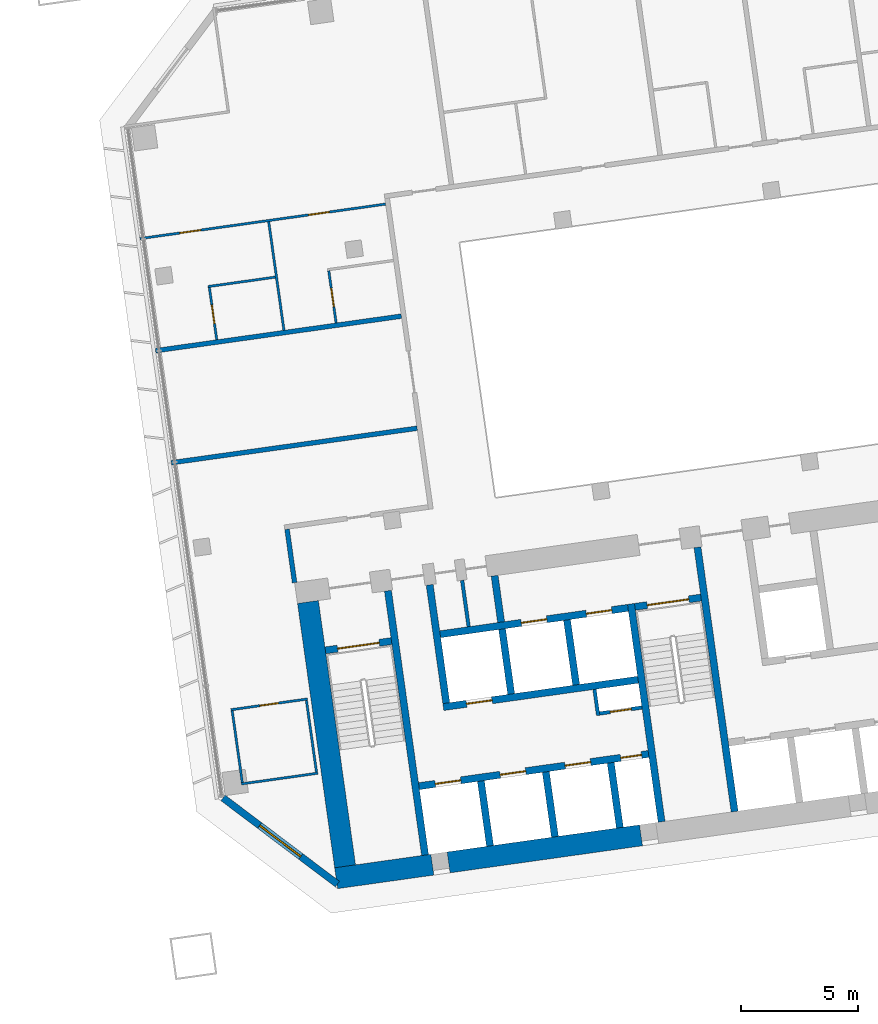
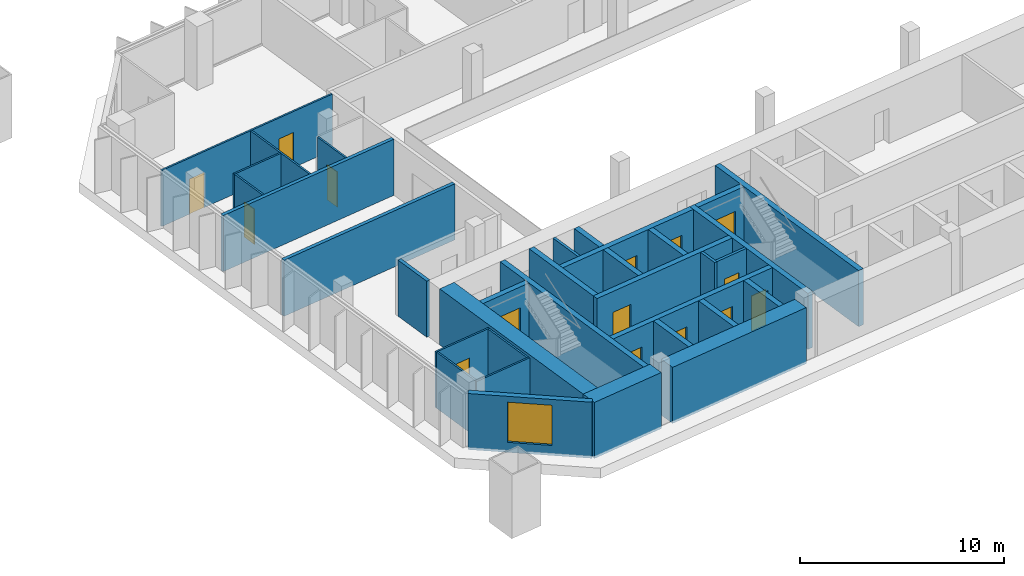
# One storey, part 18 of 24: 34 walls, 15 doors, 1 window, 16 openings.
"""IFC4 building model written with IfcOpenShell, lengths in metres."""

from ifc_helpers import new_model, si_unit, direction, frame, frame_2d, origin, place, context, subcontext, project, spatial, rectangle, extrude, material, layer, layer_set, type_object, element, fill, save


model = new_model("IFC4")

# Units and contexts
model_context = context("Model", 3, precision=1e-05, world=origin(), true_north=direction((0.0, 1.0)))
body_context = subcontext(model_context, "Body", "Model", "MODEL_VIEW")
ifc_project = project(units=[si_unit("LENGTHUNIT", "METRE"), si_unit("AREAUNIT", "SQUARE_METRE"), si_unit("VOLUMEUNIT", "CUBIC_METRE"), si_unit("PLANEANGLEUNIT", "RADIAN"), si_unit("MASSUNIT", "GRAM", prefix="KILO")], contexts=[model_context])

# Site, building, storey
site_placement = place(None, origin())
site = spatial("IfcSite", under=ifc_project, at=site_placement, CompositionType="ELEMENT")
building_placement = place(site_placement, origin())
building = spatial("IfcBuilding", under=site, at=building_placement, Name="Mirante Cascada Hotel Towers", CompositionType="ELEMENT")
storey_placement = place(building_placement, frame((0.0, 0.0, 85.1)))
storey = spatial("IfcBuildingStorey", under=building, at=storey_placement, Name="L18", CompositionType="ELEMENT", Elevation=85.1)

# Walls
ifc_material_1 = material(Name="Fire-rated plasterboard on metal studs")
ifc_layer_1 = layer(ifc_material_1, 0.2)
ifc_layer_set_1 = layer_set([ifc_layer_1], Name="Compartment wall 200 EI 120")
wall_type_1 = type_object("IfcWallType", Name="Compartment wall 200 EI 120", PredefinedType="PARTITIONING", material=ifc_layer_set_1)
wall_1_placement = place(storey_placement, frame((40.4968, -0.5248, 0.0), z_axis=(0.0, 0.0, 1.0), x_axis=(-0.9902684, -0.1391704, 0.0)))
element("IfcWall", 1, at=wall_1_placement, inside=storey, type_object=wall_type_1, Name="Wall 2-L18-04", PredefinedType="PARTITIONING", context=body_context, shape_type="SweptSolid", body=[
    extrude(rectangle(XDim=10.6, YDim=0.2, at=frame_2d((5.3, 0.0))), origin(), (0.0, 0.0, 1.0), 3.35),
])
wall_2_placement = place(storey_placement, frame((39.8242, 4.2615, 0.0), z_axis=(0.0, 0.0, 1.0), x_axis=(-0.9902686, -0.1391691, 0.0)))
element("IfcWall", 2, at=wall_2_placement, inside=storey, type_object=wall_type_1, Name="Wall 2-L18-08", PredefinedType="PARTITIONING", context=body_context, shape_type="SweptSolid", body=[
    extrude(rectangle(XDim=10.6001, YDim=0.2, at=frame_2d((5.3, 0.0))), origin(), (0.0, 0.0, 1.0), 3.35),
])
wall_3_placement = place(storey_placement, frame((35.2634, -7.1173, 0.0), z_axis=(0.0, 0.0, 1.0), x_axis=(-0.1391749, 0.9902678, 0.0)))
element("IfcWall", 3, at=wall_3_placement, inside=storey, type_object=wall_type_1, Name="Wall 2-L18-27", PredefinedType="PARTITIONING", context=body_context, shape_type="SweptSolid", body=[
    extrude(rectangle(XDim=2.3, YDim=0.2, at=frame_2d((1.15, 0.0))), origin(), (0.0, 0.0, 1.0), 3.35),
])
ifc_material_2 = material(Name="Masonry block", Category="masonry")
ifc_layer_2 = layer(ifc_material_2, 0.15)
ifc_layer_set_2 = layer_set([ifc_layer_2], Name="Core room partition 150 block EI 30")
wall_type_2 = type_object("IfcWallType", Name="Core room partition 150 block EI 30", PredefinedType="PARTITIONING", material=ifc_layer_set_2)
wall_4_placement = place(storey_placement, frame((48.2295, -12.793, 0.0), z_axis=(0.0, 0.0, 1.0), x_axis=(-0.1391935, 0.9902652, 0.0)))
element("IfcWall", 4, at=wall_4_placement, inside=storey, type_object=wall_type_2, Name="Core wall partition T2 L18 2", PredefinedType="PARTITIONING", context=body_context, shape_type="SweptSolid", body=[
    extrude(rectangle(XDim=1.1251, YDim=0.15, at=frame_2d((0.5626, 0.0))), origin(), (0.0, 0.0, 1.0), 3.35),
])

# Wall, opening, door
wall_5_placement = place(storey_placement, frame((48.2933, -12.7083, 0.0), z_axis=(0.0, 0.0, 1.0), x_axis=(0.990268, 0.1391734, 0.0)))
wall_5 = element("IfcWall", 5, at=wall_5_placement, inside=storey, type_object=wall_type_2, Name="Core wall partition T2 L18 3", PredefinedType="PARTITIONING", context=body_context, shape_type="SweptSolid", body=[
    extrude(rectangle(XDim=1.8251, YDim=0.15, at=frame_2d((0.9126, 0.0))), origin(), (0.0, 0.0, 1.0), 3.35),
])
opening_1_placement = place(wall_5_placement, frame((0.4625, 0.0, 0.0)))
opening_1 = element("IfcOpeningElement", 6, at=opening_1_placement, cuts=wall_5, Name="Opening D2-18-C23", PredefinedType="OPENING", context=body_context, shape_type="SweptSolid", body=[
    extrude(rectangle(XDim=0.9, YDim=2.1, at=frame_2d((0.45, 1.05))), frame((0.0, 0.075, 0.0), z_axis=(0.0, -1.0, 0.0), x_axis=(1.0, 0.0, 0.0)), (0.0, 0.0, 1.0), 0.15),
])
ifc_material_3 = material(Name="Hollow metal fire door leaf")
door_type_1 = type_object("IfcDoorType", Name="Fire door 900x2100 FD60", OperationType="NOTDEFINED", PredefinedType="DOOR", material=ifc_material_3)
door_1_placement = place(opening_1_placement, frame((0.9, 0.0, 0.0), z_axis=(0.0, 0.0, 1.0), x_axis=(-1.0, 0.0, 0.0)))
door_1 = element("IfcDoor", 7, at=door_1_placement, inside=storey, type_object=door_type_1, Name="Riser door T2 L18 23", OperationType="SINGLE_SWING_RIGHT", OverallHeight=2.1, OverallWidth=0.9, PredefinedType="DOOR", context=body_context, shape_type="SweptSolid", body=[
    extrude(rectangle(XDim=0.9, YDim=2.1, at=frame_2d((0.45, 1.05))), frame((0.0, 0.025, 0.0), z_axis=(0.0, -1.0, 0.0), x_axis=(1.0, 0.0, 0.0)), (0.0, 0.0, 1.0), 0.05),
])
fill(opening_1, door_1)

# Walls
wall_6_placement = place(storey_placement, frame((42.6979, -9.0009, 0.0), z_axis=(0.0, 0.0, 1.0), x_axis=(-0.1391529, 0.9902709, 0.0)))
element("IfcWall", 8, at=wall_6_placement, inside=storey, type_object=wall_type_2, Name="Core wall partition T2 L18 4", PredefinedType="PARTITIONING", context=body_context, shape_type="SweptSolid", body=[
    extrude(rectangle(XDim=2.0, YDim=0.15, at=frame_2d((1.0, 0.0))), origin(), (0.0, 0.0, 1.0), 3.35),
])
ifc_material_4 = material(Name="Masonry block", Category="masonry")
ifc_layer_3 = layer(ifc_material_4, 0.3)
ifc_layer_set_3 = layer_set([ifc_layer_3], Name="Core wall 300 block EI 120")
wall_type_3 = type_object("IfcWallType", Name="Core wall 300 block EI 120", PredefinedType="PARTITIONING", material=ifc_layer_set_3)
wall_7_placement = place(storey_placement, frame((44.0843, -8.8061, 0.0), z_axis=(0.0, 0.0, 1.0), x_axis=(-0.1391951, 0.990265, 0.0)))
element("IfcWall", 9, at=wall_7_placement, inside=storey, type_object=wall_type_3, Name="Core wall partition T2 L18 1", PredefinedType="PARTITIONING", context=body_context, shape_type="SweptSolid", body=[
    extrude(rectangle(XDim=2.0001, YDim=0.3, at=frame_2d((1.0001, 0.0))), origin(), (0.0, 0.0, 1.0), 3.35),
])
ifc_material_5 = material(Name="Plasterboard on metal studs")
ifc_layer_4 = layer(ifc_material_5, 0.1)
ifc_layer_set_4 = layer_set([ifc_layer_4], Name="Partition 100")
wall_type_4 = type_object("IfcWallType", Name="Partition 100", PredefinedType="PARTITIONING", material=ifc_layer_set_4)
wall_8_placement = place(storey_placement, frame((32.9882, -15.7176, 0.0), z_axis=(0.0, 0.0, 1.0), x_axis=(0.990267, 0.139181, 0.0)))
element("IfcWall", 10, at=wall_8_placement, inside=storey, type_object=wall_type_4, Name="Wall 2-L18-01", PredefinedType="PARTITIONING", context=body_context, shape_type="SweptSolid", body=[
    extrude(rectangle(XDim=3.3, YDim=0.1, at=frame_2d((1.65, 0.0))), origin(), (0.0, 0.0, 1.0), 3.35),
])

# Wall, opening, door
wall_9_placement = place(storey_placement, frame((35.8107, -12.0895, 0.0), z_axis=(0.0, 0.0, 1.0), x_axis=(-0.9902664, -0.1391852, 0.0)))
wall_9 = element("IfcWall", 11, at=wall_9_placement, inside=storey, type_object=wall_type_4, Name="Wall 2-L18-02", PredefinedType="PARTITIONING", context=body_context, shape_type="SweptSolid", body=[
    extrude(rectangle(XDim=3.2999, YDim=0.1, at=frame_2d((1.65, 0.0))), origin(), (0.0, 0.0, 1.0), 3.35),
])
opening_2_placement = place(wall_9_placement, frame((1.25, 0.0, 0.0)))
opening_2 = element("IfcOpeningElement", 12, at=opening_2_placement, cuts=wall_9, Name="Opening D2-L18-01", PredefinedType="OPENING", context=body_context, shape_type="SweptSolid", body=[
    extrude(rectangle(XDim=0.8, YDim=2.1, at=frame_2d((0.4, 1.05))), frame((0.0, 0.05, 0.0), z_axis=(0.0, -1.0, 0.0), x_axis=(1.0, 0.0, 0.0)), (0.0, 0.0, 1.0), 0.1),
])
ifc_material_6 = material(Name="Timber door leaf", Category="wood")
door_type_2 = type_object("IfcDoorType", Name="Bathroom door DG4 800x2100", OperationType="SINGLE_SWING_LEFT", PredefinedType="DOOR", material=ifc_material_6)
door_2_placement = place(opening_2_placement, frame((0.8, 0.0, 0.0), z_axis=(0.0, 0.0, 1.0), x_axis=(-1.0, 0.0, 0.0)))
door_2 = element("IfcDoor", 13, at=door_2_placement, inside=storey, type_object=door_type_2, Name="Door D2-L18-01", OperationType="SINGLE_SWING_RIGHT", OverallHeight=2.1, OverallWidth=0.8, PredefinedType="DOOR", context=body_context, shape_type="SweptSolid", body=[
    extrude(rectangle(XDim=0.8, YDim=2.1, at=frame_2d((0.4, 1.05))), frame((0.0, 0.025, 0.0), z_axis=(0.0, -1.0, 0.0), x_axis=(1.0, 0.0, 0.0)), (0.0, 0.0, 1.0), 0.05),
])
fill(opening_2, door_2)

# Wall
wall_10_placement = place(storey_placement, frame((34.4398, 5.9284, 0.0), z_axis=(0.0, 0.0, 1.0), x_axis=(-0.9902683, -0.1391714, 0.0)))
element("IfcWall", 14, at=wall_10_placement, inside=storey, type_object=wall_type_4, Name="Wall 2-L18-10", PredefinedType="PARTITIONING", context=body_context, shape_type="SweptSolid", body=[
    extrude(rectangle(XDim=2.9, YDim=0.1, at=frame_2d((1.45, 0.0))), origin(), (0.0, 0.0, 1.0), 3.35),
])

# Wall, openings, doors
wall_11_placement = place(storey_placement, frame((28.6547, 7.5726, 0.0), z_axis=(0.0, 0.0, 1.0), x_axis=(0.9902671, 0.1391797, 0.0)))
wall_11 = element("IfcWall", 15, at=wall_11_placement, inside=storey, type_object=wall_type_4, Name="Wall 2-L18-13", PredefinedType="PARTITIONING", context=body_context, shape_type="SweptSolid", body=[
    extrude(rectangle(XDim=10.6, YDim=0.1, at=frame_2d((5.3, 0.0))), origin(), (0.0, 0.0, 1.0), 3.35),
])
opening_3_placement = place(wall_11_placement, frame((1.725, 0.0, 0.0)))
opening_3 = element("IfcOpeningElement", 16, at=opening_3_placement, cuts=wall_11, Name="Opening D2-L18-06", PredefinedType="OPENING", context=body_context, shape_type="SweptSolid", body=[
    extrude(rectangle(XDim=0.9, YDim=2.1, at=frame_2d((0.45, 1.05))), frame((0.0, 0.05, 0.0), z_axis=(0.0, -1.0, 0.0), x_axis=(1.0, 0.0, 0.0)), (0.0, 0.0, 1.0), 0.1),
])
opening_4_placement = place(wall_11_placement, frame((7.275, 0.0, 0.0)))
opening_4 = element("IfcOpeningElement", 17, at=opening_4_placement, cuts=wall_11, Name="Opening D2-L18-07", PredefinedType="OPENING", context=body_context, shape_type="SweptSolid", body=[
    extrude(rectangle(XDim=0.9, YDim=2.1, at=frame_2d((0.45, 1.05))), frame((0.0, 0.05, 0.0), z_axis=(0.0, -1.0, 0.0), x_axis=(1.0, 0.0, 0.0)), (0.0, 0.0, 1.0), 0.1),
])
ifc_material_7 = material(Name="Timber door leaf", Category="wood")
door_type_3 = type_object("IfcDoorType", Name="Room door DG3 900x2100", OperationType="SINGLE_SWING_LEFT", PredefinedType="DOOR", material=ifc_material_7)
door_3_placement = place(opening_3_placement, origin())
door_3 = element("IfcDoor", 18, at=door_3_placement, inside=storey, type_object=door_type_3, Name="Door D2-L18-06", OperationType="SINGLE_SWING_LEFT", OverallHeight=2.1, OverallWidth=0.9, PredefinedType="DOOR", context=body_context, shape_type="SweptSolid", body=[
    extrude(rectangle(XDim=0.9, YDim=2.1, at=frame_2d((0.45, 1.05))), frame((0.0, 0.025, 0.0), z_axis=(0.0, -1.0, 0.0), x_axis=(1.0, 0.0, 0.0)), (0.0, 0.0, 1.0), 0.05),
])
fill(opening_3, door_3)
door_4_placement = place(opening_4_placement, origin())
door_4 = element("IfcDoor", 19, at=door_4_placement, inside=storey, type_object=door_type_3, Name="Door D2-L18-07", OperationType="SINGLE_SWING_LEFT", OverallHeight=2.1, OverallWidth=0.9, PredefinedType="DOOR", context=body_context, shape_type="SweptSolid", body=[
    extrude(rectangle(XDim=0.9, YDim=2.1, at=frame_2d((0.45, 1.05))), frame((0.0, 0.025, 0.0), z_axis=(0.0, -1.0, 0.0), x_axis=(1.0, 0.0, 0.0)), (0.0, 0.0, 1.0), 0.05),
])
fill(opening_4, door_4)

# Wall
wall_12_placement = place(storey_placement, frame((32.5993, -12.5913, 0.0), z_axis=(0.0, 0.0, 1.0), x_axis=(0.1391945, -0.9902651, 0.0)))
element("IfcWall", 20, at=wall_12_placement, inside=storey, type_object=wall_type_4, Name="Wall 2-L18-24", PredefinedType="PARTITIONING", context=body_context, shape_type="SweptSolid", body=[
    extrude(rectangle(XDim=3.1, YDim=0.1, at=frame_2d((1.55, 0.0))), origin(), (0.0, 0.0, 1.0), 3.35),
])

# Wall, opening, door
wall_13_placement = place(storey_placement, frame((31.9376, 3.2541, 0.0), z_axis=(0.0, 0.0, 1.0), x_axis=(-0.1391561, 0.9902705, 0.0)))
wall_13 = element("IfcWall", 21, at=wall_13_placement, inside=storey, type_object=wall_type_4, Name="Wall 2-L18-25", PredefinedType="PARTITIONING", context=body_context, shape_type="SweptSolid", body=[
    extrude(rectangle(XDim=2.25, YDim=0.1, at=frame_2d((1.125, 0.0))), origin(), (0.0, 0.0, 1.0), 3.35),
])
opening_5_placement = place(wall_13_placement, frame((0.7, 0.0, 0.0)))
opening_5 = element("IfcOpeningElement", 22, at=opening_5_placement, cuts=wall_13, Name="Opening D2-L18-23", PredefinedType="OPENING", context=body_context, shape_type="SweptSolid", body=[
    extrude(rectangle(XDim=0.8, YDim=2.1, at=frame_2d((0.4, 1.05))), frame((0.0, 0.05, 0.0), z_axis=(0.0, -1.0, 0.0), x_axis=(1.0, 0.0, 0.0)), (0.0, 0.0, 1.0), 0.1),
])
door_5_placement = place(opening_5_placement, frame((0.8, 0.0, 0.0), z_axis=(0.0, 0.0, 1.0), x_axis=(-1.0, 0.0, 0.0)))
door_5 = element("IfcDoor", 23, at=door_5_placement, inside=storey, type_object=door_type_2, Name="Door D2-L18-23", OperationType="SINGLE_SWING_RIGHT", OverallHeight=2.1, OverallWidth=0.8, PredefinedType="DOOR", context=body_context, shape_type="SweptSolid", body=[
    extrude(rectangle(XDim=0.8, YDim=2.1, at=frame_2d((0.4, 1.05))), frame((0.0, 0.025, 0.0), z_axis=(0.0, -1.0, 0.0), x_axis=(1.0, 0.0, 0.0)), (0.0, 0.0, 1.0), 0.05),
])
fill(opening_5, door_5)

# Walls
wall_14_placement = place(storey_placement, frame((35.7682, -12.146, 0.0), z_axis=(0.0, 0.0, 1.0), x_axis=(0.1391629, -0.9902695, 0.0)))
element("IfcWall", 24, at=wall_14_placement, inside=storey, type_object=wall_type_4, Name="Wall 2-L18-26", PredefinedType="PARTITIONING", context=body_context, shape_type="SweptSolid", body=[
    extrude(rectangle(XDim=3.1, YDim=0.1, at=frame_2d((1.55, 0.0))), origin(), (0.0, 0.0, 1.0), 3.35),
])
wall_15_placement = place(storey_placement, frame((34.8094, 3.6577, 0.0), z_axis=(0.0, 0.0, 1.0), x_axis=(-0.139173, 0.9902681, 0.0)))
element("IfcWall", 25, at=wall_15_placement, inside=storey, type_object=wall_type_4, Name="Wall 2-L18-29", PredefinedType="PARTITIONING", context=body_context, shape_type="SweptSolid", body=[
    extrude(rectangle(XDim=4.6834, YDim=0.1, at=frame_2d((2.3417, 0.0))), origin(), (0.0, 0.0, 1.0), 3.35),
])

# Wall, opening, door
wall_16_placement = place(storey_placement, frame((36.7244, 6.1989, 0.0), z_axis=(0.0, 0.0, 1.0), x_axis=(0.1391561, -0.9902705, 0.0)))
wall_16 = element("IfcWall", 26, at=wall_16_placement, inside=storey, type_object=wall_type_4, Name="Wall 2-L18-30", PredefinedType="PARTITIONING", context=body_context, shape_type="SweptSolid", body=[
    extrude(rectangle(XDim=2.25, YDim=0.1, at=frame_2d((1.125, 0.0))), origin(), (0.0, 0.0, 1.0), 3.35),
])
opening_6_placement = place(wall_16_placement, frame((0.75, 0.0, 0.0)))
opening_6 = element("IfcOpeningElement", 27, at=opening_6_placement, cuts=wall_16, Name="Opening D2-L18-25", PredefinedType="OPENING", context=body_context, shape_type="SweptSolid", body=[
    extrude(rectangle(XDim=0.8, YDim=2.1, at=frame_2d((0.4, 1.05))), frame((0.0, 0.05, 0.0), z_axis=(0.0, -1.0, 0.0), x_axis=(1.0, 0.0, 0.0)), (0.0, 0.0, 1.0), 0.1),
])
door_6_placement = place(opening_6_placement, origin())
door_6 = element("IfcDoor", 28, at=door_6_placement, inside=storey, type_object=door_type_2, Name="Door D2-L18-25", OperationType="SINGLE_SWING_LEFT", OverallHeight=2.1, OverallWidth=0.8, PredefinedType="DOOR", context=body_context, shape_type="SweptSolid", body=[
    extrude(rectangle(XDim=0.8, YDim=2.1, at=frame_2d((0.4, 1.05))), frame((0.0, 0.025, 0.0), z_axis=(0.0, -1.0, 0.0), x_axis=(1.0, 0.0, 0.0)), (0.0, 0.0, 1.0), 0.05),
])
fill(opening_6, door_6)

# Wall, opening, window
ifc_material_8 = material(Name="Precast concrete C40/50", Category="concrete")
ifc_layer_5 = layer(ifc_material_8, 0.3)
ifc_layer_set_5 = layer_set([ifc_layer_5], Name="Precast concrete C40/50 cladding wall 300")
wall_type_5 = type_object("IfcWallType", Name="Precast concrete C40/50 cladding wall 300", PredefinedType="STANDARD", material=ifc_layer_set_5)
wall_17_placement = place(storey_placement, frame((32.2074, -16.3138, 0.0), z_axis=(0.0, 0.0, 1.0), x_axis=(0.7986362, -0.6018141, 0.0)))
wall_17 = element("IfcWall", 29, at=wall_17_placement, inside=storey, type_object=wall_type_5, Name="Corner cladding wall T2 L18 inner rear", PredefinedType="STANDARD", context=body_context, shape_type="SweptSolid", body=[
    extrude(rectangle(XDim=6.1157, YDim=0.3, at=frame_2d((3.0578, 0.0))), origin(), (0.0, 0.0, 1.0), 3.35),
])
opening_7_placement = place(wall_17_placement, frame((1.9578, 0.0, 0.6)))
opening_7 = element("IfcOpeningElement", 30, at=opening_7_placement, cuts=wall_17, Name="Opening W2-18-05", PredefinedType="OPENING", context=body_context, shape_type="SweptSolid", body=[
    extrude(rectangle(XDim=2.2, YDim=2.4, at=frame_2d((1.1, 1.2))), frame((0.0, 0.15, 0.0), z_axis=(0.0, -1.0, 0.0), x_axis=(1.0, 0.0, 0.0)), (0.0, 0.0, 1.0), 0.3),
])
ifc_material_9 = material(Name="Aluminium frame with clear double glazing", Category="aluminium")
window_type = type_object("IfcWindowType", Name="Corner suite window 2200x2400", PartitioningType="DOUBLE_PANEL_VERTICAL", PredefinedType="WINDOW", material=ifc_material_9)
window_placement = place(opening_7_placement, origin())
window = element("IfcWindow", 31, at=window_placement, inside=storey, type_object=window_type, Name="Window W2-18-05", OverallHeight=2.4, OverallWidth=2.2, PartitioningType="SINGLE_PANEL", PredefinedType="WINDOW", context=body_context, shape_type="SweptSolid", body=[
    extrude(rectangle(XDim=2.2, YDim=2.4, at=frame_2d((1.1, 1.2))), frame((0.0, 0.03, 0.0), z_axis=(0.0, -1.0, 0.0), x_axis=(1.0, 0.0, 0.0)), (0.0, 0.0, 1.0), 0.06),
])
fill(opening_7, window)

# Walls
ifc_material_10 = material(Name="Concrete C50/60", Category="concrete")
ifc_layer_6 = layer(ifc_material_10, 0.3)
ifc_layer_set_6 = layer_set([ifc_layer_6], Name="RC core wall 300 C50/60")
wall_type_6 = type_object("IfcWallType", Name="RC core wall 300 C50/60", PredefinedType="SHEAR", material=ifc_layer_set_6)
wall_18_placement = place(storey_placement, frame((40.8373, -18.7548, 0.0), z_axis=(0.0, 0.0, 1.0), x_axis=(-0.1391749, 0.9902678, 0.0)))
element("IfcWall", 32, at=wall_18_placement, inside=storey, type_object=wall_type_6, Name="Core wall T2:L18:5", PredefinedType="SHEAR", context=body_context, shape_type="SweptSolid", body=[
    extrude(rectangle(XDim=11.4, YDim=0.3, at=frame_2d((5.7, 0.0))), origin(), (0.0, 0.0, 1.0), 3.35),
])
wall_19_placement = place(storey_placement, frame((50.938, -17.3352, 0.0), z_axis=(0.0, 0.0, 1.0), x_axis=(-0.1391706, 0.9902684, 0.0)))
element("IfcWall", 33, at=wall_19_placement, inside=storey, type_object=wall_type_6, Name="Core wall T2:L18:6", PredefinedType="SHEAR", context=body_context, shape_type="SweptSolid", body=[
    extrude(rectangle(XDim=9.4, YDim=0.3, at=frame_2d((4.7, 0.0))), origin(), (0.0, 0.0, 1.0), 3.35),
])
wall_20_placement = place(storey_placement, frame((54.0574, -16.8968, 0.0), z_axis=(0.0, 0.0, 1.0), x_axis=(-0.1391761, 0.9902677, 0.0)))
element("IfcWall", 34, at=wall_20_placement, inside=storey, type_object=wall_type_6, Name="Core wall T2:L18:7", PredefinedType="SHEAR", context=body_context, shape_type="SweptSolid", body=[
    extrude(rectangle(XDim=11.3999, YDim=0.3, at=frame_2d((5.7, 0.0))), origin(), (0.0, 0.0, 1.0), 3.35),
])

# Wall, opening, door
wall_21_placement = place(storey_placement, frame((36.5791, -10.0123, 0.0), z_axis=(0.0, 0.0, 1.0), x_axis=(0.9902704, 0.1391564, 0.0)))
wall_21 = element("IfcWall", 35, at=wall_21_placement, inside=storey, type_object=wall_type_6, Name="Core wall T2:L18:9", PredefinedType="SHEAR", context=body_context, shape_type="SweptSolid", body=[
    extrude(rectangle(XDim=2.85, YDim=0.3, at=frame_2d((1.425, 0.0))), origin(), (0.0, 0.0, 1.0), 3.35),
])
opening_8_placement = place(wall_21_placement, frame((0.525, 0.0, 0.0)))
opening_8 = element("IfcOpeningElement", 36, at=opening_8_placement, cuts=wall_21, Name="Opening D2-18-C13", PredefinedType="OPENING", context=body_context, shape_type="SweptSolid", body=[
    extrude(rectangle(XDim=1.8, YDim=2.1, at=frame_2d((0.9, 1.05))), frame((0.0, 0.15, 0.0), z_axis=(0.0, -1.0, 0.0), x_axis=(1.0, 0.0, 0.0)), (0.0, 0.0, 1.0), 0.3),
])
ifc_material_11 = material(Name="Hollow metal fire door leaf")
door_type_4 = type_object("IfcDoorType", Name="Double fire door 1800x2100 FD60", OperationType="DOUBLE_DOOR_SINGLE_SWING", PredefinedType="DOOR", material=ifc_material_11)
door_7_placement = place(opening_8_placement, frame((1.8, 0.0, 0.0), z_axis=(0.0, 0.0, 1.0), x_axis=(-1.0, 0.0, 0.0)))
door_7 = element("IfcDoor", 37, at=door_7_placement, inside=storey, type_object=door_type_4, Name="Stair door T2 L18 13", OperationType="DOUBLE_DOOR_SINGLE_SWING", OverallHeight=2.1, OverallWidth=1.8, PredefinedType="DOOR", context=body_context, shape_type="SweptSolid", body=[
    extrude(rectangle(XDim=0.895, YDim=2.1, at=frame_2d((0.4475, 1.05))), frame((0.0, 0.025, 0.0), z_axis=(0.0, -1.0, 0.0), x_axis=(1.0, 0.0, 0.0)), (0.0, 0.0, 1.0), 0.05),
    extrude(rectangle(XDim=0.895, YDim=2.1, at=frame_2d((1.3525, 1.05))), frame((0.0, 0.025, 0.0), z_axis=(0.0, -1.0, 0.0), x_axis=(1.0, 0.0, 0.0)), (0.0, 0.0, 1.0), 0.05),
])
fill(opening_8, door_7)

wall_22_placement = place(storey_placement, frame((49.7992, -8.1544, 0.0), z_axis=(0.0, 0.0, 1.0), x_axis=(0.9902656, 0.1391909, 0.0)))
wall_22 = element("IfcWall", 38, at=wall_22_placement, inside=storey, type_object=wall_type_6, Name="Core wall T2:L18:10", PredefinedType="SHEAR", context=body_context, shape_type="SweptSolid", body=[
    extrude(rectangle(XDim=2.85, YDim=0.3, at=frame_2d((1.425, 0.0))), origin(), (0.0, 0.0, 1.0), 3.35),
])
opening_9_placement = place(wall_22_placement, frame((0.525, 0.0, 0.0)))
opening_9 = element("IfcOpeningElement", 39, at=opening_9_placement, cuts=wall_22, Name="Opening D2-18-C15", PredefinedType="OPENING", context=body_context, shape_type="SweptSolid", body=[
    extrude(rectangle(XDim=1.8, YDim=2.1, at=frame_2d((0.9, 1.05))), frame((0.0, 0.15, 0.0), z_axis=(0.0, -1.0, 0.0), x_axis=(1.0, 0.0, 0.0)), (0.0, 0.0, 1.0), 0.3),
])
door_8_placement = place(opening_9_placement, frame((1.8, 0.0, 0.0), z_axis=(0.0, 0.0, 1.0), x_axis=(-1.0, 0.0, 0.0)))
door_8 = element("IfcDoor", 40, at=door_8_placement, inside=storey, type_object=door_type_4, Name="Stair door T2 L18 15", OperationType="DOUBLE_DOOR_SINGLE_SWING", OverallHeight=2.1, OverallWidth=1.8, PredefinedType="DOOR", context=body_context, shape_type="SweptSolid", body=[
    extrude(rectangle(XDim=0.895, YDim=2.1, at=frame_2d((0.4475, 1.05))), frame((0.0, 0.025, 0.0), z_axis=(0.0, -1.0, 0.0), x_axis=(1.0, 0.0, 0.0)), (0.0, 0.0, 1.0), 0.05),
    extrude(rectangle(XDim=0.895, YDim=2.1, at=frame_2d((1.3525, 1.05))), frame((0.0, 0.025, 0.0), z_axis=(0.0, -1.0, 0.0), x_axis=(1.0, 0.0, 0.0)), (0.0, 0.0, 1.0), 0.05),
])
fill(opening_9, door_8)

# Wall, openings, doors
wall_23_placement = place(storey_placement, frame((40.5753, -15.8126, 0.0), z_axis=(0.0, 0.0, 1.0), x_axis=(0.9902682, 0.1391725, 0.0)))
wall_23 = element("IfcWall", 41, at=wall_23_placement, inside=storey, type_object=wall_type_6, Name="Core wall T2:L18:12", PredefinedType="SHEAR", context=body_context, shape_type="SweptSolid", body=[
    extrude(rectangle(XDim=9.8999, YDim=0.3, at=frame_2d((4.95, 0.0))), origin(), (0.0, 0.0, 1.0), 3.35),
])
opening_10_placement = place(wall_23_placement, frame((0.7, 0.0, 0.0)))
opening_10 = element("IfcOpeningElement", 42, at=opening_10_placement, cuts=wall_23, Name="Opening LD", PredefinedType="OPENING", context=body_context, shape_type="SweptSolid", body=[
    extrude(rectangle(XDim=1.1, YDim=2.1, at=frame_2d((0.55, 1.05))), frame((0.0, 0.15, 0.0), z_axis=(0.0, -1.0, 0.0), x_axis=(1.0, 0.0, 0.0)), (0.0, 0.0, 1.0), 0.3),
])
opening_11_placement = place(wall_23_placement, frame((3.5, 0.0, 0.0)))
opening_11 = element("IfcOpeningElement", 43, at=opening_11_placement, cuts=wall_23, Name="Opening LD", PredefinedType="OPENING", context=body_context, shape_type="SweptSolid", body=[
    extrude(rectangle(XDim=1.1, YDim=2.1, at=frame_2d((0.55, 1.05))), frame((0.0, 0.15, 0.0), z_axis=(0.0, -1.0, 0.0), x_axis=(1.0, 0.0, 0.0)), (0.0, 0.0, 1.0), 0.3),
])
opening_12_placement = place(wall_23_placement, frame((6.3, 0.0, 0.0)))
opening_12 = element("IfcOpeningElement", 44, at=opening_12_placement, cuts=wall_23, Name="Opening LD", PredefinedType="OPENING", context=body_context, shape_type="SweptSolid", body=[
    extrude(rectangle(XDim=1.1, YDim=2.1, at=frame_2d((0.55, 1.05))), frame((0.0, 0.15, 0.0), z_axis=(0.0, -1.0, 0.0), x_axis=(1.0, 0.0, 0.0)), (0.0, 0.0, 1.0), 0.3),
])
opening_13_placement = place(wall_23_placement, frame((8.7, 0.0, 0.0)))
opening_13 = element("IfcOpeningElement", 45, at=opening_13_placement, cuts=wall_23, Name="Opening D2-18-C22", PredefinedType="OPENING", context=body_context, shape_type="SweptSolid", body=[
    extrude(rectangle(XDim=0.9, YDim=2.1, at=frame_2d((0.45, 1.05))), frame((0.0, 0.15, 0.0), z_axis=(0.0, -1.0, 0.0), x_axis=(1.0, 0.0, 0.0)), (0.0, 0.0, 1.0), 0.3),
])
door_9_placement = place(opening_13_placement, frame((0.9, 0.0, 0.0), z_axis=(0.0, 0.0, 1.0), x_axis=(-1.0, 0.0, 0.0)))
door_9 = element("IfcDoor", 46, at=door_9_placement, inside=storey, type_object=door_type_1, Name="Riser door T2 L18 22", OperationType="SINGLE_SWING_RIGHT", OverallHeight=2.1, OverallWidth=0.9, PredefinedType="DOOR", context=body_context, shape_type="SweptSolid", body=[
    extrude(rectangle(XDim=0.9, YDim=2.1, at=frame_2d((0.45, 1.05))), frame((0.0, 0.025, 0.0), z_axis=(0.0, -1.0, 0.0), x_axis=(1.0, 0.0, 0.0)), (0.0, 0.0, 1.0), 0.05),
])
fill(opening_13, door_9)
ifc_material_12 = material(Name="Stainless steel", Category="steel")
door_type_5 = type_object("IfcDoorType", Name="Lift landing door 1100x2100 EI 120", OperationType="DOUBLE_DOOR_SLIDING", PredefinedType="DOOR", material=ifc_material_12)
door_10_placement = place(opening_10_placement, origin())
door_10 = element("IfcDoor", 47, at=door_10_placement, inside=storey, type_object=door_type_5, Name="Lift landing door HR2-1 L18", OperationType="DOUBLE_DOOR_SLIDING", OverallHeight=2.1, OverallWidth=1.1, PredefinedType="DOOR", context=body_context, shape_type="SweptSolid", body=[
    extrude(rectangle(XDim=0.545, YDim=2.1, at=frame_2d((0.2725, 1.05))), frame((0.0, 0.025, 0.0), z_axis=(0.0, -1.0, 0.0), x_axis=(1.0, 0.0, 0.0)), (0.0, 0.0, 1.0), 0.05),
    extrude(rectangle(XDim=0.545, YDim=2.1, at=frame_2d((0.8275, 1.05))), frame((0.0, 0.025, 0.0), z_axis=(0.0, -1.0, 0.0), x_axis=(1.0, 0.0, 0.0)), (0.0, 0.0, 1.0), 0.05),
])
fill(opening_10, door_10)
door_11_placement = place(opening_11_placement, origin())
door_11 = element("IfcDoor", 48, at=door_11_placement, inside=storey, type_object=door_type_5, Name="Lift landing door HR2-2 L18", OperationType="DOUBLE_DOOR_SLIDING", OverallHeight=2.1, OverallWidth=1.1, PredefinedType="DOOR", context=body_context, shape_type="SweptSolid", body=[
    extrude(rectangle(XDim=0.545, YDim=2.1, at=frame_2d((0.2725, 1.05))), frame((0.0, 0.025, 0.0), z_axis=(0.0, -1.0, 0.0), x_axis=(1.0, 0.0, 0.0)), (0.0, 0.0, 1.0), 0.05),
    extrude(rectangle(XDim=0.545, YDim=2.1, at=frame_2d((0.8275, 1.05))), frame((0.0, 0.025, 0.0), z_axis=(0.0, -1.0, 0.0), x_axis=(1.0, 0.0, 0.0)), (0.0, 0.0, 1.0), 0.05),
])
fill(opening_11, door_11)
door_12_placement = place(opening_12_placement, origin())
door_12 = element("IfcDoor", 49, at=door_12_placement, inside=storey, type_object=door_type_5, Name="Lift landing door HR2-3 L18", OperationType="DOUBLE_DOOR_SLIDING", OverallHeight=2.1, OverallWidth=1.1, PredefinedType="DOOR", context=body_context, shape_type="SweptSolid", body=[
    extrude(rectangle(XDim=0.545, YDim=2.1, at=frame_2d((0.2725, 1.05))), frame((0.0, 0.025, 0.0), z_axis=(0.0, -1.0, 0.0), x_axis=(1.0, 0.0, 0.0)), (0.0, 0.0, 1.0), 0.05),
    extrude(rectangle(XDim=0.545, YDim=2.1, at=frame_2d((0.8275, 1.05))), frame((0.0, 0.025, 0.0), z_axis=(0.0, -1.0, 0.0), x_axis=(1.0, 0.0, 0.0)), (0.0, 0.0, 1.0), 0.05),
])
fill(opening_12, door_12)

# Wall, opening, door
wall_24_placement = place(storey_placement, frame((41.6153, -12.435, 0.0), z_axis=(0.0, 0.0, 1.0), x_axis=(0.9902691, 0.139166, 0.0)))
wall_24 = element("IfcWall", 50, at=wall_24_placement, inside=storey, type_object=wall_type_6, Name="Core wall T2:L18:13", PredefinedType="SHEAR", context=body_context, shape_type="SweptSolid", body=[
    extrude(rectangle(XDim=8.4, YDim=0.3, at=frame_2d((4.2, 0.0))), origin(), (0.0, 0.0, 1.0), 3.35),
])
opening_14_placement = place(wall_24_placement, frame((1.0, 0.0, 0.0)))
opening_14 = element("IfcOpeningElement", 51, at=opening_14_placement, cuts=wall_24, Name="Opening LD", PredefinedType="OPENING", context=body_context, shape_type="SweptSolid", body=[
    extrude(rectangle(XDim=1.1, YDim=2.1, at=frame_2d((0.55, 1.05))), frame((0.0, 0.15, 0.0), z_axis=(0.0, -1.0, 0.0), x_axis=(1.0, 0.0, 0.0)), (0.0, 0.0, 1.0), 0.3),
])
door_13_placement = place(opening_14_placement, origin())
door_13 = element("IfcDoor", 52, at=door_13_placement, inside=storey, type_object=door_type_5, Name="Lift landing door HR2-4 L18", OperationType="DOUBLE_DOOR_SLIDING", OverallHeight=2.1, OverallWidth=1.1, PredefinedType="DOOR", context=body_context, shape_type="SweptSolid", body=[
    extrude(rectangle(XDim=0.545, YDim=2.1, at=frame_2d((0.2725, 1.05))), frame((0.0, 0.025, 0.0), z_axis=(0.0, -1.0, 0.0), x_axis=(1.0, 0.0, 0.0)), (0.0, 0.0, 1.0), 0.05),
    extrude(rectangle(XDim=0.545, YDim=2.1, at=frame_2d((0.8275, 1.05))), frame((0.0, 0.025, 0.0), z_axis=(0.0, -1.0, 0.0), x_axis=(1.0, 0.0, 0.0)), (0.0, 0.0, 1.0), 0.05),
])
fill(opening_14, door_13)

# Wall, openings, doors
wall_25_placement = place(storey_placement, frame((41.481, -9.3234, 0.0), z_axis=(0.0, 0.0, 1.0), x_axis=(0.9902679, 0.1391741, 0.0)))
wall_25 = element("IfcWall", 53, at=wall_25_placement, inside=storey, type_object=wall_type_6, Name="Core wall T2:L18:14", PredefinedType="SHEAR", context=body_context, shape_type="SweptSolid", body=[
    extrude(rectangle(XDim=8.0999, YDim=0.3, at=frame_2d((4.05, 0.0))), origin(), (0.0, 0.0, 1.0), 3.35),
])
opening_15_placement = place(wall_25_placement, frame((3.5, 0.0, 0.0)))
opening_15 = element("IfcOpeningElement", 54, at=opening_15_placement, cuts=wall_25, Name="Opening LD", PredefinedType="OPENING", context=body_context, shape_type="SweptSolid", body=[
    extrude(rectangle(XDim=1.1, YDim=2.1, at=frame_2d((0.55, 1.05))), frame((0.0, 0.15, 0.0), z_axis=(0.0, -1.0, 0.0), x_axis=(1.0, 0.0, 0.0)), (0.0, 0.0, 1.0), 0.3),
])
opening_16_placement = place(wall_25_placement, frame((6.3, 0.0, 0.0)))
opening_16 = element("IfcOpeningElement", 55, at=opening_16_placement, cuts=wall_25, Name="Opening LD", PredefinedType="OPENING", context=body_context, shape_type="SweptSolid", body=[
    extrude(rectangle(XDim=1.1, YDim=2.1, at=frame_2d((0.55, 1.05))), frame((0.0, 0.15, 0.0), z_axis=(0.0, -1.0, 0.0), x_axis=(1.0, 0.0, 0.0)), (0.0, 0.0, 1.0), 0.3),
])
door_14_placement = place(opening_15_placement, origin())
door_14 = element("IfcDoor", 56, at=door_14_placement, inside=storey, type_object=door_type_5, Name="Lift landing door FF3 L18", OperationType="DOUBLE_DOOR_SLIDING", OverallHeight=2.1, OverallWidth=1.1, PredefinedType="DOOR", context=body_context, shape_type="SweptSolid", body=[
    extrude(rectangle(XDim=0.545, YDim=2.1, at=frame_2d((0.2725, 1.05))), frame((0.0, 0.025, 0.0), z_axis=(0.0, -1.0, 0.0), x_axis=(1.0, 0.0, 0.0)), (0.0, 0.0, 1.0), 0.05),
    extrude(rectangle(XDim=0.545, YDim=2.1, at=frame_2d((0.8275, 1.05))), frame((0.0, 0.025, 0.0), z_axis=(0.0, -1.0, 0.0), x_axis=(1.0, 0.0, 0.0)), (0.0, 0.0, 1.0), 0.05),
])
fill(opening_15, door_14)
door_15_placement = place(opening_16_placement, origin())
door_15 = element("IfcDoor", 57, at=door_15_placement, inside=storey, type_object=door_type_5, Name="Lift landing door FF4 L18", OperationType="DOUBLE_DOOR_SLIDING", OverallHeight=2.1, OverallWidth=1.1, PredefinedType="DOOR", context=body_context, shape_type="SweptSolid", body=[
    extrude(rectangle(XDim=0.545, YDim=2.1, at=frame_2d((0.2725, 1.05))), frame((0.0, 0.025, 0.0), z_axis=(0.0, -1.0, 0.0), x_axis=(1.0, 0.0, 0.0)), (0.0, 0.0, 1.0), 0.05),
    extrude(rectangle(XDim=0.545, YDim=2.1, at=frame_2d((0.8275, 1.05))), frame((0.0, 0.025, 0.0), z_axis=(0.0, -1.0, 0.0), x_axis=(1.0, 0.0, 0.0)), (0.0, 0.0, 1.0), 0.05),
])
fill(opening_16, door_15)

# Walls
wall_26_placement = place(storey_placement, frame((43.61, -18.3651, 0.0), z_axis=(0.0, 0.0, 1.0), x_axis=(-0.1391459, 0.9902719, 0.0)))
element("IfcWall", 58, at=wall_26_placement, inside=storey, type_object=wall_type_6, Name="Core wall T2:L18:15", PredefinedType="SHEAR", context=body_context, shape_type="SweptSolid", body=[
    extrude(rectangle(XDim=2.7999, YDim=0.3, at=frame_2d((1.4, 0.0))), origin(), (0.0, 0.0, 1.0), 3.35),
])
wall_27_placement = place(storey_placement, frame((46.3828, -17.9754, 0.0), z_axis=(0.0, 0.0, 1.0), x_axis=(-0.139181, 0.990267, 0.0)))
element("IfcWall", 59, at=wall_27_placement, inside=storey, type_object=wall_type_6, Name="Core wall T2:L18:16", PredefinedType="SHEAR", context=body_context, shape_type="SweptSolid", body=[
    extrude(rectangle(XDim=2.8, YDim=0.3, at=frame_2d((1.4, 0.0))), origin(), (0.0, 0.0, 1.0), 3.35),
])
wall_28_placement = place(storey_placement, frame((49.1555, -17.5857, 0.0), z_axis=(0.0, 0.0, 1.0), x_axis=(-0.1391459, 0.9902719, 0.0)))
element("IfcWall", 60, at=wall_28_placement, inside=storey, type_object=wall_type_6, Name="Core wall T2:L18:17", PredefinedType="SHEAR", context=body_context, shape_type="SweptSolid", body=[
    extrude(rectangle(XDim=2.7999, YDim=0.3, at=frame_2d((1.4, 0.0))), origin(), (0.0, 0.0, 1.0), 3.35),
])
for number, where, z_axis, x_axis, name in (
    (61, (44.5157, -11.8759, 0.0), (0.0, 0.0, 1.0), (-0.139181, 0.990267, 0.0), "Core wall T2:L18:18"),
    (62, (47.2885, -11.4862, 0.0), (0.0, 0.0, 1.0), (-0.139181, 0.990267, 0.0), "Core wall T2:L18:19"),
):
    element("IfcWall", number, at=place(storey_placement, frame(where, z_axis=z_axis, x_axis=x_axis)), inside=storey, type_object=wall_type_6, Name=name, PredefinedType="SHEAR", context=body_context, shape_type="SweptSolid", body=[
        extrude(rectangle(XDim=2.8, YDim=0.3, at=frame_2d((1.4, 0.0))), origin(), (0.0, 0.0, 1.0), 3.35),
    ])
wall_29_placement = place(storey_placement, frame((41.743, -12.2656, 0.0), z_axis=(0.0, 0.0, 1.0), x_axis=(-0.1391755, 0.9902677, 0.0)))
element("IfcWall", 63, at=wall_29_placement, inside=storey, type_object=wall_type_6, Name="Core wall T2:L18:20", PredefinedType="SHEAR", context=body_context, shape_type="SweptSolid", body=[
    extrude(rectangle(XDim=5.1, YDim=0.3, at=frame_2d((2.55, 0.0))), origin(), (0.0, 0.0, 1.0), 3.35),
])
ifc_material_13 = material(Name="Concrete C50/60", Category="concrete")
ifc_layer_7 = layer(ifc_material_13, 0.9)
ifc_layer_set_7 = layer_set([ifc_layer_7], Name="RC core wall 900 C50/60")
wall_type_7 = type_object("IfcWallType", Name="RC core wall 900 C50/60", PredefinedType="SHEAR", material=ifc_layer_set_7)
wall_30_placement = place(storey_placement, frame((37.0379, -19.7432, 0.0), z_axis=(0.0, 0.0, 1.0), x_axis=(0.990267, 0.139181, 0.0)))
element("IfcWall", 64, at=wall_30_placement, inside=storey, type_object=wall_type_7, Name="Core wall T2:L18:1.1", PredefinedType="SHEAR", context=body_context, shape_type="SweptSolid", body=[
    extrude(rectangle(XDim=4.15, YDim=0.9, at=frame_2d((2.075, 0.0))), origin(), (0.0, 0.0, 1.0), 3.35),
])
wall_31_placement = place(storey_placement, frame((41.8407, -19.0682, 0.0), z_axis=(0.0, 0.0, 1.0), x_axis=(0.9902686, 0.1391692, 0.0)))
element("IfcWall", 65, at=wall_31_placement, inside=storey, type_object=wall_type_7, Name="Core wall T2:L18:1.2", PredefinedType="SHEAR", context=body_context, shape_type="SweptSolid", body=[
    extrude(rectangle(XDim=8.3, YDim=0.9, at=frame_2d((4.15, 0.0))), origin(), (0.0, 0.0, 1.0), 3.35),
])
wall_32_placement = place(storey_placement, frame((37.4209, -19.2349, 0.0), z_axis=(0.0, 0.0, 1.0), x_axis=(-0.1391761, 0.9902677, 0.0)))
element("IfcWall", 66, at=wall_32_placement, inside=storey, type_object=wall_type_7, Name="Core wall T2:L18:3", PredefinedType="SHEAR", context=body_context, shape_type="SweptSolid", body=[
    extrude(rectangle(XDim=11.3999, YDim=0.9, at=frame_2d((5.7, 0.0))), origin(), (0.0, 0.0, 1.0), 3.35),
])

save(model, "model.ifc")
